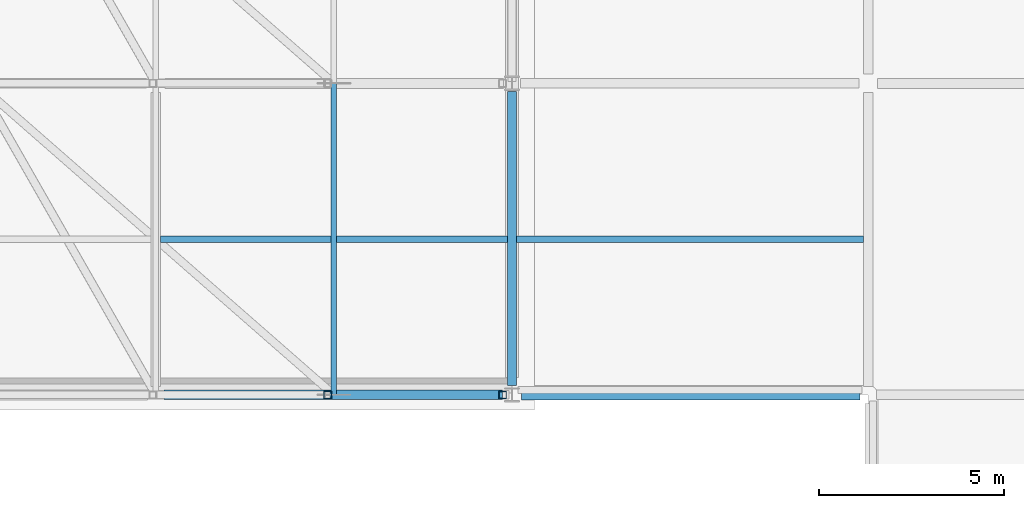
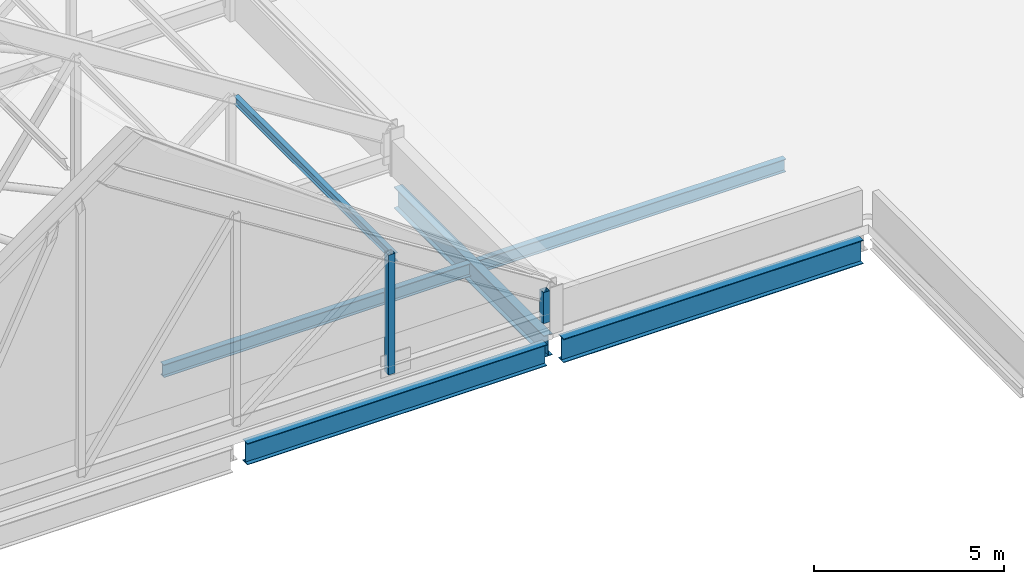
# One storey, part 8 of 26: 6 beams, 2 members.
"""IFC4 building model written with IfcOpenShell, lengths in metres."""

from ifc_helpers import new_model, si_unit, direction, frame, origin, origin_2d, place, context, subcontext, project, spatial, hollow_rectangle, i_section, extrude, material, material_profile, profile_set, type_object, element, save


model = new_model("IFC4")

# Units and contexts
model_context = context("Model", 3, precision=1e-05, world=origin(), true_north=direction((0.0, 1.0)))
body_context = subcontext(model_context, "Body", "Model", "MODEL_VIEW")
ifc_project = project(units=[si_unit("LENGTHUNIT", "METRE"), si_unit("AREAUNIT", "SQUARE_METRE"), si_unit("VOLUMEUNIT", "CUBIC_METRE"), si_unit("PLANEANGLEUNIT", "RADIAN"), si_unit("MASSUNIT", "GRAM", prefix="KILO")], contexts=[model_context])

# Site, building, storey
site_placement = place(None, origin())
site = spatial("IfcSite", under=ifc_project, at=site_placement, CompositionType="ELEMENT")
building_placement = place(site_placement, origin())
building = spatial("IfcBuilding", under=site, at=building_placement, Name="Lornevale Opera House", CompositionType="ELEMENT")
storey_placement = place(building_placement, frame((0.0, 0.0, 19.800048828125)))
storey = spatial("IfcBuildingStorey", under=building, at=storey_placement, Name="L05", CompositionType="ELEMENT", Elevation=19.800048828125)

# Members
ifc_material = material(Name="Structural Steel CSA G40.21 Grade 350W (350 MPa)", Category="steel")
ifc_material_profile_1 = material_profile(ifc_material, hollow_rectangle(XDim=0.202880859375, YDim=0.202880859375, WallThickness=0.010986328125, at=origin_2d()), Name="HSS203x203x11")
ifc_profile_set_1 = profile_set([ifc_material_profile_1], Name="Structural Steel CSA G40.21 Grade 350W (350 MPa)")
member_type = type_object("IfcMemberType", Name="Auditorium Truss Web HSS203x203x11", PredefinedType="STRUT", material=ifc_profile_set_1)
member_1_placement = place(storey_placement, frame((95.75, 33.60009765625, 0.349853515625), z_axis=(0.0, 0.0, 1.0), x_axis=(1.0, 0.0, 0.0)))
element("IfcMember", 1, at=member_1_placement, inside=storey, type_object=member_type, Name="Auditorium Truss Web HSS203x203x11 0006", PredefinedType="STRUT", context=body_context, shape_type="SweptSolid", body=[
    extrude(hollow_rectangle(XDim=0.202880859375, YDim=0.202880859375, WallThickness=0.010986328125, at=origin_2d()), origin(), (0.0, 0.0, 1.0), 1.0),
])
member_2_placement = place(storey_placement, frame((91.033203125, 33.60009765625, 0.349853515625), z_axis=(0.0, 0.0, 1.0), x_axis=(1.0, 0.0, 0.0)))
element("IfcMember", 2, at=member_2_placement, inside=storey, type_object=member_type, Name="Auditorium Truss Web HSS203x203x11 0015", PredefinedType="STRUT", context=body_context, shape_type="SweptSolid", body=[
    extrude(hollow_rectangle(XDim=0.202880859375, YDim=0.202880859375, WallThickness=0.010986328125, at=origin_2d()), origin(), (0.0, 0.0, 1.0), 3.85791015625),
])

# Beams
ifc_material_profile_2 = material_profile(ifc_material, i_section(OverallWidth=0.14794921875, OverallDepth=0.26611328125, WebThickness=0.007568359375, FlangeThickness=0.012939453125, at=origin_2d()), Name="W250x45")
ifc_profile_set_2 = profile_set([ifc_material_profile_2], Name="Structural Steel CSA G40.21 Grade 350W (350 MPa)")
beam_type_1 = type_object("IfcBeamType", Name="Copper Roof Purlin W250x45", PredefinedType="JOIST", material=ifc_profile_set_2)
beam_1_placement = place(storey_placement, frame((91.199951171875, 33.60009765625, 3.987548828125), z_axis=(0.0, 1.0, 0.0), x_axis=(-1.0, 0.0, 0.0)))
element("IfcBeam", 3, at=beam_1_placement, inside=storey, type_object=beam_type_1, Name="Copper Roof Purlin W250x45 2981", PredefinedType="JOIST", context=body_context, shape_type="SweptSolid", body=[
    extrude(i_section(OverallWidth=0.14794921875, OverallDepth=0.26611328125, WebThickness=0.007568359375, FlangeThickness=0.012939453125, at=origin_2d()), origin(), (0.0, 0.0, 1.0), 8.39990234375),
])
ifc_material_profile_3 = material_profile(ifc_material, i_section(OverallWidth=0.179931640625, OverallDepth=0.4130859375, WebThickness=0.009765625, FlangeThickness=0.01611328125, at=origin_2d()), Name="W410x74")
ifc_profile_set_3 = profile_set([ifc_material_profile_3], Name="Structural Steel CSA G40.21 Grade 350W (350 MPa)")
beam_type_2 = type_object("IfcBeamType", Name="Steel Floor Joist W410x74", PredefinedType="JOIST", material=ifc_profile_set_3)
for number, where, z_axis, x_axis, name in (
    (4, (86.527099609375, 37.800048828125, -0.54150390625), (1.0, 0.0, 0.0), (0.0, 1.0, 0.0), "Steel Floor Joist W410x74 2808"),
    (5, (96.126953125, 37.800048828125, -0.54150390625), (1.0, 0.0, 0.0), (0.0, 1.0, 0.0), "Steel Floor Joist W410x74 2809"),
):
    element("IfcBeam", number, at=place(storey_placement, frame(where, z_axis=z_axis, x_axis=x_axis)), inside=storey, type_object=beam_type_2, Name=name, PredefinedType="JOIST", context=body_context, shape_type="SweptSolid", body=[
        extrude(i_section(OverallWidth=0.179931640625, OverallDepth=0.4130859375, WebThickness=0.009765625, FlangeThickness=0.01611328125, at=origin_2d()), origin(), (0.0, 0.0, 1.0), 9.345947265625),
    ])
ifc_material_profile_4 = material_profile(ifc_material, i_section(OverallWidth=0.25390625, OverallDepth=0.68798828125, WebThickness=0.01318359375, FlangeThickness=0.02099609375, at=origin_2d()), Name="W690x152")
ifc_profile_set_4 = profile_set([ifc_material_profile_4], Name="Structural Steel CSA G40.21 Grade 350W (350 MPa)")
beam_type_3 = type_object("IfcBeamType", Name="Steel Foyer Beam W690x152", PredefinedType="USERDEFINED", material=ifc_profile_set_4)
beam_2_placement = place(storey_placement, frame((86.625, 33.60009765625, -0.678955078125), z_axis=(1.0, 0.0, 0.0), x_axis=(0.0, 1.0, 0.0)))
element("IfcBeam", 6, at=beam_2_placement, inside=storey, type_object=beam_type_3, Name="Steel Foyer Beam W690x152 2718", ObjectType="GIRDER", PredefinedType="USERDEFINED", context=body_context, shape_type="SweptSolid", body=[
    extrude(i_section(OverallWidth=0.25390625, OverallDepth=0.68798828125, WebThickness=0.01318359375, FlangeThickness=0.02099609375, at=origin_2d()), origin(), (0.0, 0.0, 1.0), 9.125),
])
beam_3_placement = place(storey_placement, frame((96.0, 33.85009765625, -0.678955078125), z_axis=(0.0, 1.0, 0.0), x_axis=(-1.0, 0.0, 0.0)))
element("IfcBeam", 7, at=beam_3_placement, inside=storey, type_object=beam_type_3, Name="Steel Foyer Beam W690x152 2769", ObjectType="GIRDER", PredefinedType="USERDEFINED", context=body_context, shape_type="SweptSolid", body=[
    extrude(i_section(OverallWidth=0.25390625, OverallDepth=0.68798828125, WebThickness=0.01318359375, FlangeThickness=0.02099609375, at=origin_2d()), origin(), (0.0, 0.0, 1.0), 7.9248046875),
])
ifc_material_profile_5 = material_profile(ifc_material, i_section(OverallWidth=0.26708984375, OverallDepth=0.76611328125, WebThickness=0.014892578125, FlangeThickness=0.023681640625, at=origin_2d()), Name="W760x185")
ifc_profile_set_5 = profile_set([ifc_material_profile_5], Name="Structural Steel CSA G40.21 Grade 350W (350 MPa)")
beam_type_4 = type_object("IfcBeamType", Name="Steel Workshop Girder W760x185", PredefinedType="USERDEFINED", material=ifc_profile_set_5)
beam_4_placement = place(storey_placement, frame((96.25, 33.60009765625, -0.718017578125), z_axis=(1.0, 0.0, 0.0), x_axis=(0.0, 1.0, 0.0)))
element("IfcBeam", 8, at=beam_4_placement, inside=storey, type_object=beam_type_4, Name="Steel Workshop Girder W760x185 2719", ObjectType="GIRDER", PredefinedType="USERDEFINED", context=body_context, shape_type="SweptSolid", body=[
    extrude(i_section(OverallWidth=0.26708984375, OverallDepth=0.76611328125, WebThickness=0.014892578125, FlangeThickness=0.023681640625, at=origin_2d()), origin(), (0.0, 0.0, 1.0), 9.125),
])

save(model, "model.ifc")
